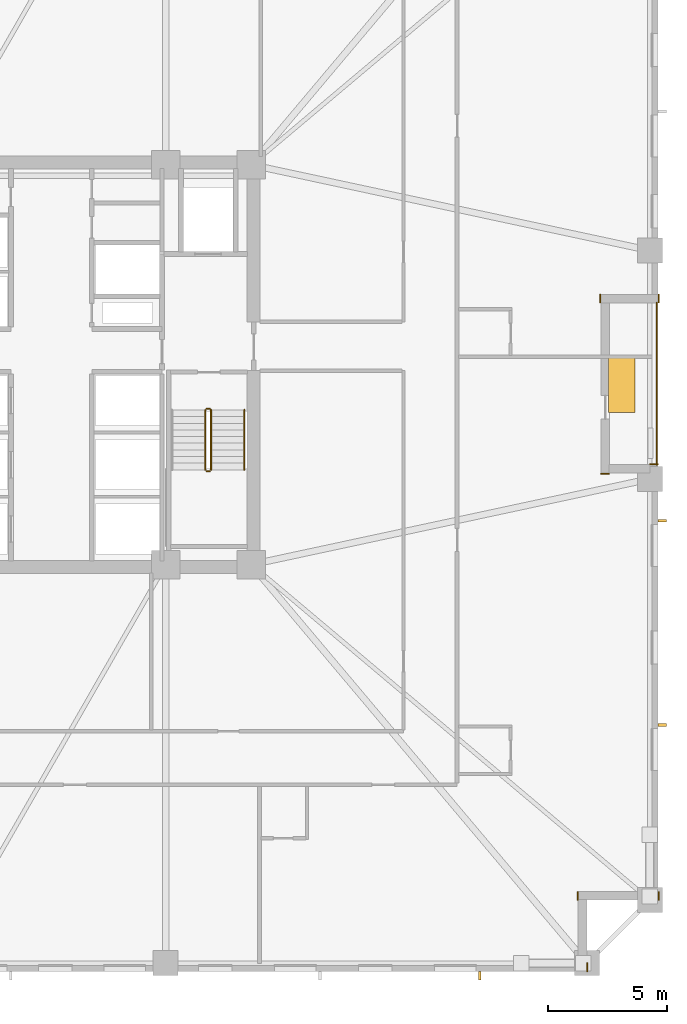
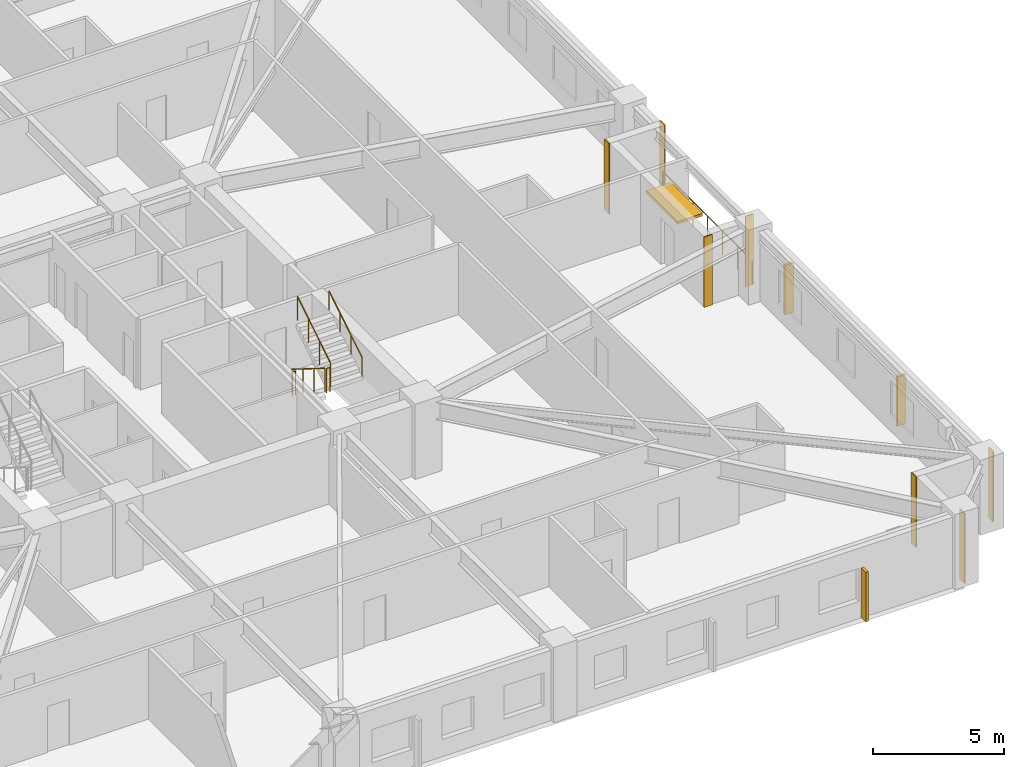
# One storey, part 9 of 11: 7 coverings, 6 railings, 4 shading devices.
"""IFC4 building model written with IfcOpenShell, lengths in metres."""

import ifcopenshell
import ifcopenshell.guid

model = None  # the IFC model being written
_history = None  # IfcOwnerHistory: only IFC2X3 demands one
_inside = {}  # id of a spatial element -> (the spatial element, [elements in it])
_under = {}  # id of a project, library or spatial element -> (it, [spatial elements below it])
_declared = {}  # id of a project -> (the project, [libraries it declares])
_typed = {}  # id of a type object -> (the type object, [elements of that type])
_made_of = {}  # id of a material, layer set ... -> (it, [elements and type objects made of it])


def new_model(schema):
    """Start an empty IFC model of exactly this schema.

    Asked for "IFC4X3", IfcOpenShell would pick the latest addendum, in which some entities
    have other attributes; the version numbers below select the first issue.
    IFC2X3 requires an IfcOwnerHistory on every rooted entity: one is made here for all.
    """
    global model, _history
    if schema == "IFC4X3":
        model = ifcopenshell.file(schema_version=(4, 3, 0, 0))
    else:
        model = ifcopenshell.file(schema=schema)
    _inside.clear()
    _under.clear()
    _declared.clear()
    _typed.clear()
    _made_of.clear()
    _history = None
    if model.schema == "IFC2X3":
        org = make("IfcOrganization", Name="unknown")
        user = make(
            "IfcPersonAndOrganization",
            ThePerson=make("IfcPerson", FamilyName="unknown"),
            TheOrganization=org,
        )
        app = make(
            "IfcApplication",
            ApplicationDeveloper=org,
            Version="unknown",
            ApplicationFullName="unknown",
            ApplicationIdentifier="unknown",
        )
        _history = make(
            "IfcOwnerHistory",
            OwningUser=user,
            OwningApplication=app,
            ChangeAction="ADDED",
            CreationDate=0,
        )
    return model


def make(cls, **values):
    """One entity of the class cls with the attributes given. An attribute that is None is left unset."""
    return model.create_entity(
        cls, **{name: value for name, value in values.items() if value is not None}
    )


def rooted(cls, **values):
    """An entity with a GlobalId (a new one), such as an element, a storey or a relation."""
    return make(cls, GlobalId=ifcopenshell.guid.new(), OwnerHistory=_history, **values)


def si_unit(unit_type, name, prefix=None):
    """IfcSIUnit, for example si_unit("LENGTHUNIT", "METRE", prefix="MILLI")."""
    return make("IfcSIUnit", UnitType=unit_type, Prefix=prefix, Name=name)


def assignment(units):
    """IfcUnitAssignment: the units of a project."""
    return None if units is None else make("IfcUnitAssignment", Units=units)


def point(xyz):
    """IfcCartesianPoint."""
    return None if xyz is None else make("IfcCartesianPoint", Coordinates=xyz)


def direction(xyz):
    """IfcDirection."""
    return None if xyz is None else make("IfcDirection", DirectionRatios=xyz)


def frame(location, z_axis=None, x_axis=None):
    """IfcAxis2Placement3D, a coordinate frame: its origin and axes. An axis left out is left unset."""
    return make(
        "IfcAxis2Placement3D",
        Location=point(location),
        Axis=direction(z_axis),
        RefDirection=direction(x_axis),
    )


def frame_2d(location, x_axis=None):
    """IfcAxis2Placement2D, a coordinate frame in the plane: its origin and x axis."""
    return make(
        "IfcAxis2Placement2D", Location=point(location), RefDirection=direction(x_axis)
    )


def origin():
    """The frame at (0, 0, 0) with its axes left unset."""
    return frame((0.0, 0.0, 0.0))


def origin_2d():
    """The frame at (0, 0) in the plane with its x axis left unset."""
    return frame_2d((0.0, 0.0))


def place(relative_to, where):
    """IfcLocalPlacement: puts the frame where relative to a parent placement (None: the world)."""
    return make(
        "IfcLocalPlacement", PlacementRelTo=relative_to, RelativePlacement=where
    )


def context(
    kind, dimensions, precision=None, world=None, true_north=None, identifier=None
):
    """IfcGeometricRepresentationContext, for example the 3D "Model" context."""
    return make(
        "IfcGeometricRepresentationContext",
        ContextIdentifier=identifier,
        ContextType=kind,
        CoordinateSpaceDimension=dimensions,
        Precision=precision,
        WorldCoordinateSystem=world,
        TrueNorth=true_north,
    )


def subcontext(parent, identifier, kind, view, scale=None):
    """IfcGeometricRepresentationSubContext, for example "Body" below "Model"."""
    return make(
        "IfcGeometricRepresentationSubContext",
        ContextIdentifier=identifier,
        ContextType=kind,
        ParentContext=parent,
        TargetScale=scale,
        TargetView=view,
    )


def project(units=None, contexts=None):
    """IfcProject with its units and contexts."""
    return rooted(
        "IfcProject",
        Name="project",
        RepresentationContexts=contexts,
        UnitsInContext=assignment(units),
    )


def spatial(cls, under=None, at=None, **own):
    """A site, building, storey or space (cls), placed at a placement, below another one or the project."""
    s = rooted(cls, ObjectPlacement=at, **own)
    if under is not None:
        _under.setdefault(under.id(), (under, []))[1].append(s)
    return s


def profile(cls, at=None, kind="AREA", **sizes):
    """A parametric profile (cls). Its sizes go by their IFC names, for example OverallWidth=200.0."""
    return make(cls, ProfileType=kind, Position=at, **sizes)


def rectangle(**sizes):
    """IfcRectangleProfileDef."""
    return profile("IfcRectangleProfileDef", **sizes)


def circle(**sizes):
    """IfcCircleProfileDef."""
    return profile("IfcCircleProfileDef", **sizes)


def extrude(swept, where, along, depth):
    """IfcExtrudedAreaSolid: the profile swept, set in the frame where, extruded along a direction by depth."""
    return make(
        "IfcExtrudedAreaSolid",
        SweptArea=swept,
        Position=where,
        ExtrudedDirection=direction(along),
        Depth=depth,
    )


def shape(context_of_items, identifier, shape_type, items):
    """IfcShapeRepresentation: the items that make up one representation, for example the "Body"."""
    return make(
        "IfcShapeRepresentation",
        ContextOfItems=context_of_items,
        RepresentationIdentifier=identifier,
        RepresentationType=shape_type,
        Items=items,
    )


def material(Name=None, Category=None):
    """IfcMaterial."""
    return make("IfcMaterial", Name=Name, Category=Category)


def layer(
    of_material, thickness, ventilated=None, Name=None, Category=None, Priority=None
):
    """IfcMaterialLayer: one layer of a wall or slab, of a material (None: an air gap)."""
    return make(
        "IfcMaterialLayer",
        Material=of_material,
        LayerThickness=thickness,
        IsVentilated=ventilated,
        Name=Name,
        Category=Category,
        Priority=Priority,
    )


def layer_set(layers, Name=None):
    """IfcMaterialLayerSet."""
    return make("IfcMaterialLayerSet", MaterialLayers=layers, LayerSetName=Name)


def made_of(thing, what):
    """Note that an element or type object is made of a material, layer set ...; save() writes the relation."""
    if what is not None:
        _made_of.setdefault(what.id(), (what, []))[1].append(thing)
    return thing


def type_object(cls, material=None, **own):
    """A type object (cls), such as IfcWallType, which elements share."""
    return made_of(rooted(cls, **own), material)


def element(
    cls,
    number,
    at=None,
    inside=None,
    cuts=None,
    type_object=None,
    material=None,
    context=None,
    identifier="Body",
    shape_type=None,
    held_by="IfcProductDefinitionShape",
    body=None,
    shapes=None,
    **own,
):
    """One element of the class cls, such as IfcWall. Its Tag is "e" and its number.

    at: its placement. inside: the storey or other place that contains it. cuts: it is an
    opening in that element (IfcRelVoidsElement). A single representation is given by context,
    identifier, shape_type and body (its items); several are given by shapes. held_by: the class
    of the entity that holds the representations. save() writes the other relations.
    """
    e = rooted(cls, Tag="e%d" % number, ObjectPlacement=at, **own)
    if body is not None:
        shapes = [shape(context, identifier, shape_type, body)]
    if shapes is not None:
        e.Representation = make(held_by, Representations=shapes)
    if inside is not None:
        _inside.setdefault(inside.id(), (inside, []))[1].append(e)
    if cuts is not None:
        rooted(
            "IfcRelVoidsElement", RelatingBuildingElement=cuts, RelatedOpeningElement=e
        )
    if type_object is not None:
        _typed.setdefault(type_object.id(), (type_object, []))[1].append(e)
    return made_of(e, material)


def aggregate(whole, parts):
    """IfcRelAggregates: a whole, such as a stair, and the parts it consists of."""
    return rooted("IfcRelAggregates", RelatingObject=whole, RelatedObjects=parts)


def save(model, path):
    """Write the relations noted so far, then the file.

    IfcRelAggregates (storeys below a building ...), IfcRelContainedInSpatialStructure (elements
    in a storey), IfcRelDefinesByType, IfcRelAssociatesMaterial and IfcRelDeclares: one each for
    every whole, place, type object, material and project.
    """
    for whole, parts in _under.values():
        aggregate(whole, parts)
    for where, things in _inside.values():
        rooted(
            "IfcRelContainedInSpatialStructure",
            RelatedElements=things,
            RelatingStructure=where,
        )
    for kind, things in _typed.values():
        rooted("IfcRelDefinesByType", RelatedObjects=things, RelatingType=kind)
    for what, things in _made_of.values():
        rooted("IfcRelAssociatesMaterial", RelatedObjects=things, RelatingMaterial=what)
    for by, libraries in _declared.values():
        rooted("IfcRelDeclares", RelatingContext=by, RelatedDefinitions=libraries)
    model.write(path)


model = new_model("IFC4")

# Units and contexts
model_context = context("Model", 3, precision=1e-05, world=origin(), true_north=direction((0.0, 1.0)))
body_context = subcontext(model_context, "Body", "Model", "MODEL_VIEW")
ifc_project = project(units=[si_unit("LENGTHUNIT", "METRE"), si_unit("AREAUNIT", "SQUARE_METRE"), si_unit("VOLUMEUNIT", "CUBIC_METRE"), si_unit("PLANEANGLEUNIT", "RADIAN"), si_unit("MASSUNIT", "GRAM", prefix="KILO")], contexts=[model_context])

# Site, building, storey
site_placement = place(None, origin())
site = spatial("IfcSite", under=ifc_project, at=site_placement, CompositionType="ELEMENT")
building_placement = place(site_placement, origin())
building = spatial("IfcBuilding", under=site, at=building_placement, Name="Cairnveth Concourse Tower", CompositionType="ELEMENT")
storey_placement = place(building_placement, frame((0.0, 0.0, 65.5)))
storey = spatial("IfcBuildingStorey", under=building, at=storey_placement, Name="L17", CompositionType="ELEMENT", Elevation=65.5)

# Coverings
ifc_material_1 = material(Name="Dressed Melbourne Bluestone Cladding", Category="masonry")
ifc_layer = layer(ifc_material_1, 0.050048828125)
ifc_layer_set = layer_set([ifc_layer], Name="Dressed Melbourne Bluestone Cladding")
covering_type = type_object("IfcCoveringType", Name="DRESSED BLUESTONE PLINTH CLADDING 50", PredefinedType="CLADDING", material=ifc_layer_set)
for number, where, z_axis, x_axis, name in (
    (1, (77.139892578125, 34.820068359375, 0.0), (0.0, 0.0, 1.0), (1.0, 0.0, 0.0), "Melbourne Bluestone Corner Quoin L17-215"),
    (2, (77.52001953125, 16.860107421875, 0.0), (0.0, 0.0, 1.0), (0.0, -1.0, 0.0), "Melbourne Bluestone Corner Quoin L17-216"),
    (3, (74.1201171875, 16.860107421875, 0.0), (0.0, 0.0, 1.0), (0.0, -1.0, 0.0), "Melbourne Bluestone Corner Quoin L17-217"),
    (4, (74.52001953125, 13.860107421875, 0.0), (0.0, 0.0, 1.0), (0.0, -1.0, 0.0), "Melbourne Bluestone Corner Quoin L17-218"),
):
    element("IfcCovering", number, at=place(storey_placement, frame(where, z_axis=z_axis, x_axis=x_axis)), inside=storey, type_object=covering_type, Name=name, PredefinedType="CLADDING", context=body_context, shape_type="SweptSolid", body=[
        extrude(rectangle(XDim=0.360107421875, YDim=0.050048828125, at=frame_2d((0.18017578125, 0.0))), origin(), (0.0, 0.0, 1.0), 3.280029296875),
    ])
for number, where, z_axis, x_axis, name in (
    (5, (77.52001953125, 41.9599609375, 0.0), (0.0, 0.0, 1.0), (0.0, -1.0, 0.0), "Melbourne Bluestone Corner Quoin L17-228"),
    (6, (75.070068359375, 41.9599609375, 0.0), (0.0, 0.0, 1.0), (0.0, -1.0, 0.0), "Melbourne Bluestone Corner Quoin L17-229"),
    (7, (75.090087890625, 34.419921875, 0.0), (0.0, 0.0, 1.0), (1.0, 0.0, 0.0), "Melbourne Bluestone Corner Quoin L17-230"),
):
    element("IfcCovering", number, at=place(storey_placement, frame(where, z_axis=z_axis, x_axis=x_axis)), inside=storey, type_object=covering_type, Name=name, PredefinedType="CLADDING", context=body_context, shape_type="SweptSolid", body=[
        extrude(rectangle(XDim=0.35986328125, YDim=0.050048828125, at=frame_2d((0.179931640625, 0.0))), origin(), (0.0, 0.0, 1.0), 3.280029296875),
    ])

# Shading devices
ifc_material_2 = material(Name="Architectural Bronze Anodised Aluminium 6063-T6", Category="aluminium")
shading_device_type_1 = type_object("IfcShadingDeviceType", Name="GOTHIC BRONZE VERTICAL LANCET FIN", PredefinedType="USERDEFINED", material=ifc_material_2)
for number, where, z_axis, x_axis, name in (
    (8, (77.675048828125, 32.44140625, 0.02978515625), (0.0, 0.0, 1.0), (0.0, 1.0, 0.0), "Gothic Bronze Vertical Fin L17-0-1"),
    (9, (77.675048828125, 23.86669921875, 0.02978515625), (0.0, 0.0, 1.0), (0.0, 1.0, 0.0), "Gothic Bronze Vertical Fin L17-0-3"),
    (10, (70.0048828125, 13.324951171875, 0.02978515625), (0.0, 0.0, 1.0), (1.0, 0.0, 0.0), "Gothic Bronze Vertical Fin L17-3-1"),
):
    element("IfcShadingDevice", number, at=place(storey_placement, frame(where, z_axis=z_axis, x_axis=x_axis)), inside=storey, type_object=shading_device_type_1, Name=name, ObjectType="VERTICAL FIN", PredefinedType="USERDEFINED", context=body_context, shape_type="SweptSolid", body=[
        extrude(rectangle(XDim=0.1201171875, YDim=0.360107421875, at=origin_2d()), origin(), (0.0, 0.0, 1.0), 2.303955078125),
    ])
shading_device_type_2 = type_object("IfcShadingDeviceType", Name="SPIRAL TERRACE SUNSHADE CANOPY", PredefinedType="USERDEFINED", material=ifc_material_2)
shading_device_placement = place(storey_placement, frame((75.969970703125, 38.199951171875, 2.183837890625), z_axis=(0.0, 0.0, 1.0), x_axis=(1.0, 0.0, 0.0)))
element("IfcShadingDevice", 11, at=shading_device_placement, inside=storey, type_object=shading_device_type_2, Name="Spiral Terrace Sunshade L17", ObjectType="TERRACE SUNSHADE", PredefinedType="USERDEFINED", context=body_context, shape_type="SweptSolid", body=[
    extrude(rectangle(XDim=1.10009765625, YDim=2.39990234375, at=origin_2d()), origin(), (0.0, 0.0, 1.0), 0.1201171875),
])

# Railings
ifc_material_3 = material(Name="Steel Grade 350", Category="steel")
railing_type_1 = type_object("IfcRailingType", Name="STAIR GUARDRAIL 1150", PredefinedType="GUARDRAIL", material=ifc_material_3)
railing_1_placement = place(storey_placement, frame((58.469970703125, 37.10009765625, 0.175048828125)))
element("IfcRailing", 12, at=railing_1_placement, inside=storey, type_object=railing_type_1, Name="L17 ST-2 stair guard 1", PredefinedType="GUARDRAIL", context=body_context, shape_type="SweptSolid", body=[
    extrude(circle(Radius=0.02392578125, at=origin_2d()), frame((0.0, 0.0, 1.1259765625), z_axis=(0.0, -0.848007534815, 0.529984170421), x_axis=(1.0, 0.0, 0.0)), (0.0, 0.0, 1.0), 2.9716796875),
    extrude(circle(Radius=0.02099609375, at=origin_2d()), origin(), (0.0, 0.0, 1.0), 1.101806640625),
    extrude(circle(Radius=0.02099609375, at=origin_2d()), frame((0.0, -0.840087890625, 0.52490234375)), (0.0, 0.0, 1.0), 1.101806640625),
    extrude(circle(Radius=0.02099609375, at=origin_2d()), frame((0.0, -1.679931640625, 1.050048828125)), (0.0, 0.0, 1.0), 1.101806640625),
    extrude(circle(Radius=0.02099609375, at=origin_2d()), frame((0.0, -2.52001953125, 1.574951171875)), (0.0, 0.0, 1.0), 1.101806640625),
])
railing_2_placement = place(storey_placement, frame((58.52001953125, 34.530029296875, 1.75)))
element("IfcRailing", 13, at=railing_2_placement, inside=storey, type_object=railing_type_1, Name="L17 ST-2 stair guard 2", PredefinedType="GUARDRAIL", context=body_context, shape_type="SweptSolid", body=[
    extrude(circle(Radius=0.02392578125, at=origin_2d()), frame((0.0, 0.0, 1.1259765625), z_axis=(1.0, 0.0, 0.0), x_axis=(0.0, 1.0, 0.0)), (0.0, 0.0, 1.0), 0.139892578125),
    extrude(circle(Radius=0.02099609375, at=origin_2d()), origin(), (0.0, 0.0, 1.0), 1.101806640625),
    extrude(circle(Radius=0.02099609375, at=origin_2d()), frame((0.139892578125, 0.0, 0.0)), (0.0, 0.0, 1.0), 1.101806640625),
])
railing_3_placement = place(storey_placement, frame((58.7099609375, 34.580078125, 1.925048828125)))
element("IfcRailing", 14, at=railing_3_placement, inside=storey, type_object=railing_type_1, Name="L17 ST-2 stair guard 3", PredefinedType="GUARDRAIL", context=body_context, shape_type="SweptSolid", body=[
    extrude(circle(Radius=0.02392578125, at=origin_2d()), frame((0.0, 0.0, 1.1259765625), z_axis=(0.0, 0.848007534815, 0.529984170421), x_axis=(-1.0, 0.0, 0.0)), (0.0, 0.0, 1.0), 2.9716796875),
    extrude(circle(Radius=0.02099609375, at=origin_2d()), origin(), (0.0, 0.0, 1.0), 1.101806640625),
    extrude(circle(Radius=0.02099609375, at=origin_2d()), frame((0.0, 0.840087890625, 0.52490234375)), (0.0, 0.0, 1.0), 1.101806640625),
    extrude(circle(Radius=0.02099609375, at=origin_2d()), frame((0.0, 1.679931640625, 1.050048828125)), (0.0, 0.0, 1.0), 1.101806640625),
    extrude(circle(Radius=0.02099609375, at=origin_2d()), frame((0.0, 2.52001953125, 1.574951171875)), (0.0, 0.0, 1.0), 1.101806640625),
])
railing_4_placement = place(storey_placement, frame((58.52001953125, 37.14990234375, 0.0)))
element("IfcRailing", 15, at=railing_4_placement, inside=storey, type_object=railing_type_1, Name="L17 ST-2 stair guard 4", PredefinedType="GUARDRAIL", context=body_context, shape_type="SweptSolid", body=[
    extrude(circle(Radius=0.02392578125, at=origin_2d()), frame((0.0, 0.0, 1.1259765625), z_axis=(1.0, 0.0, 0.0), x_axis=(0.0, 1.0, 0.0)), (0.0, 0.0, 1.0), 0.139892578125),
    extrude(circle(Radius=0.02099609375, at=origin_2d()), origin(), (0.0, 0.0, 1.0), 1.101806640625),
    extrude(circle(Radius=0.02099609375, at=origin_2d()), frame((0.139892578125, 0.0, 0.0)), (0.0, 0.0, 1.0), 1.101806640625),
])
railing_type_2 = type_object("IfcRailingType", Name="STAIR WALL HANDRAIL 900", PredefinedType="HANDRAIL", material=ifc_material_3)
railing_5_placement = place(storey_placement, frame((60.110107421875, 34.580078125, 1.925048828125)))
element("IfcRailing", 16, at=railing_5_placement, inside=storey, type_object=railing_type_2, Name="L17 ST-2 stair handrail 2", PredefinedType="HANDRAIL", context=body_context, shape_type="SweptSolid", body=[
    extrude(circle(Radius=0.02392578125, at=origin_2d()), frame((0.0, 0.0, 0.8759765625), z_axis=(0.0, 0.848007534815, 0.529984170421), x_axis=(-1.0, 0.0, 0.0)), (0.0, 0.0, 1.0), 2.9716796875),
    extrude(circle(Radius=0.02099609375, at=origin_2d()), origin(), (0.0, 0.0, 1.0), 0.851806640625),
    extrude(circle(Radius=0.02099609375, at=origin_2d()), frame((0.0, 0.840087890625, 0.52490234375)), (0.0, 0.0, 1.0), 0.851806640625),
    extrude(circle(Radius=0.02099609375, at=origin_2d()), frame((0.0, 1.679931640625, 1.050048828125)), (0.0, 0.0, 1.0), 0.851806640625),
    extrude(circle(Radius=0.02099609375, at=origin_2d()), frame((0.0, 2.52001953125, 1.574951171875)), (0.0, 0.0, 1.0), 0.851806640625),
])
railing_type_3 = type_object("IfcRailingType", Name="TERRACE BRONZE BALUSTRADE 1150", PredefinedType="BALUSTRADE", material=ifc_material_2)
railing_6_placement = place(storey_placement, frame((77.43994140625, 34.800048828125, 0.0)))
element("IfcRailing", 17, at=railing_6_placement, inside=storey, type_object=railing_type_3, Name="Terrace Balustrade RL-L17-TERR", PredefinedType="BALUSTRADE", context=body_context, shape_type="SweptSolid", body=[
    extrude(circle(Radius=0.02490234375, at=origin_2d()), frame((0.0, 0.0, 1.125), z_axis=(0.0, 1.0, 0.0), x_axis=(-1.0, 0.0, 0.0)), (0.0, 0.0, 1.0), 6.800048828125),
    extrude(circle(Radius=0.02099609375, at=origin_2d()), origin(), (0.0, 0.0, 1.0), 1.099853515625),
    extrude(circle(Radius=0.02099609375, at=origin_2d()), frame((0.0, 1.13330078125, 0.0)), (0.0, 0.0, 1.0), 1.099853515625),
    extrude(circle(Radius=0.02099609375, at=origin_2d()), frame((0.0, 2.2666015625, 0.0)), (0.0, 0.0, 1.0), 1.099853515625),
    extrude(circle(Radius=0.02099609375, at=origin_2d()), frame((0.0, 3.39990234375, 0.0)), (0.0, 0.0, 1.0), 1.099853515625),
    extrude(circle(Radius=0.02099609375, at=origin_2d()), frame((0.0, 4.533447265625, 0.0)), (0.0, 0.0, 1.0), 1.099853515625),
    extrude(circle(Radius=0.02099609375, at=origin_2d()), frame((0.0, 5.666748046875, 0.0)), (0.0, 0.0, 1.0), 1.099853515625),
    extrude(circle(Radius=0.02099609375, at=origin_2d()), frame((0.0, 6.800048828125, 0.0)), (0.0, 0.0, 1.0), 1.099853515625),
])

save(model, "model.ifc")
